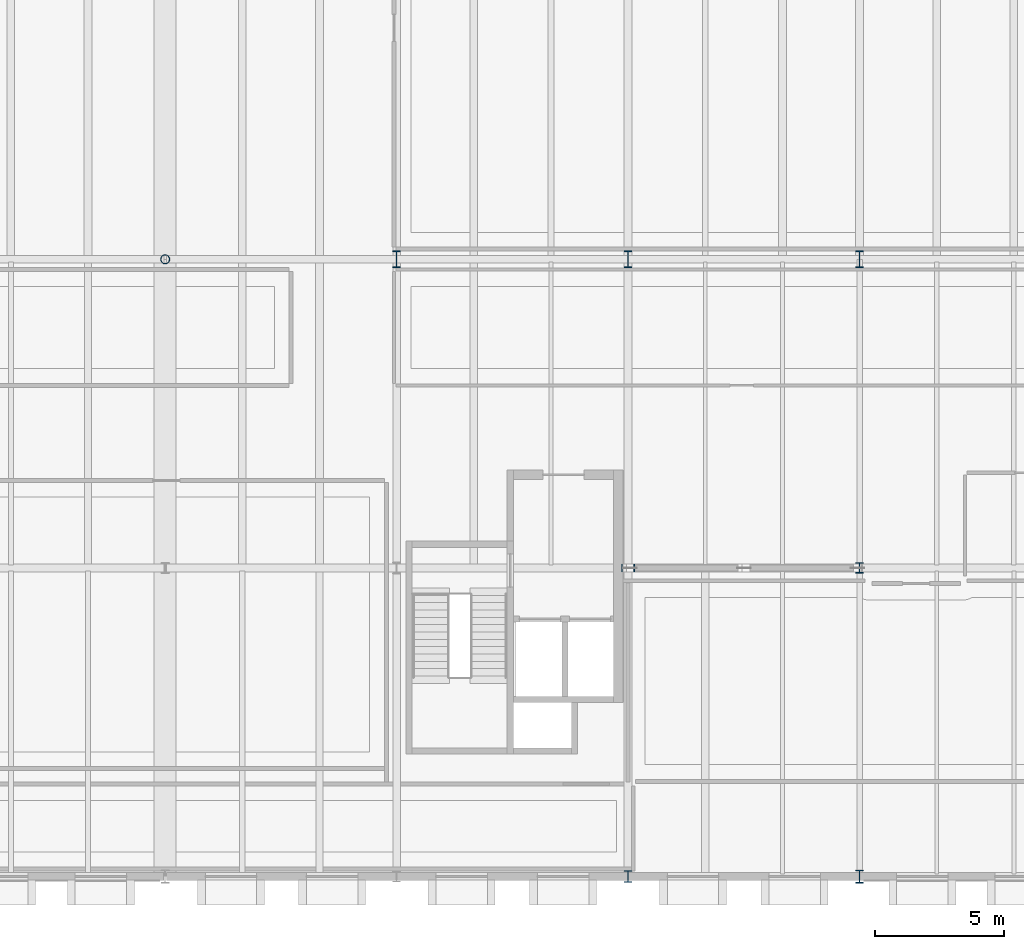
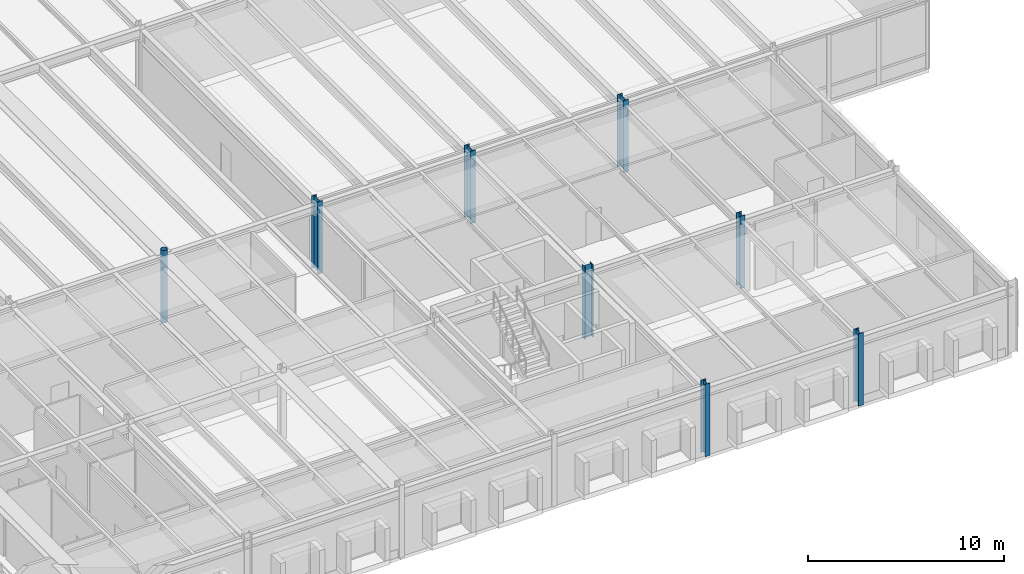
# One storey, part 5 of 127: 8 columns.
"""IFC4 building model written with IfcOpenShell, lengths in metres."""

import ifcopenshell
import ifcopenshell.guid

model = None  # the IFC model being written
_history = None  # IfcOwnerHistory: only IFC2X3 demands one
_inside = {}  # id of a spatial element -> (the spatial element, [elements in it])
_under = {}  # id of a project, library or spatial element -> (it, [spatial elements below it])
_declared = {}  # id of a project -> (the project, [libraries it declares])
_typed = {}  # id of a type object -> (the type object, [elements of that type])
_made_of = {}  # id of a material, layer set ... -> (it, [elements and type objects made of it])


def new_model(schema):
    """Start an empty IFC model of exactly this schema.

    Asked for "IFC4X3", IfcOpenShell would pick the latest addendum, in which some entities
    have other attributes; the version numbers below select the first issue.
    IFC2X3 requires an IfcOwnerHistory on every rooted entity: one is made here for all.
    """
    global model, _history
    if schema == "IFC4X3":
        model = ifcopenshell.file(schema_version=(4, 3, 0, 0))
    else:
        model = ifcopenshell.file(schema=schema)
    _inside.clear()
    _under.clear()
    _declared.clear()
    _typed.clear()
    _made_of.clear()
    _history = None
    if model.schema == "IFC2X3":
        org = make("IfcOrganization", Name="unknown")
        user = make(
            "IfcPersonAndOrganization",
            ThePerson=make("IfcPerson", FamilyName="unknown"),
            TheOrganization=org,
        )
        app = make(
            "IfcApplication",
            ApplicationDeveloper=org,
            Version="unknown",
            ApplicationFullName="unknown",
            ApplicationIdentifier="unknown",
        )
        _history = make(
            "IfcOwnerHistory",
            OwningUser=user,
            OwningApplication=app,
            ChangeAction="ADDED",
            CreationDate=0,
        )
    return model


def make(cls, **values):
    """One entity of the class cls with the attributes given. An attribute that is None is left unset."""
    return model.create_entity(
        cls, **{name: value for name, value in values.items() if value is not None}
    )


def rooted(cls, **values):
    """An entity with a GlobalId (a new one), such as an element, a storey or a relation."""
    return make(cls, GlobalId=ifcopenshell.guid.new(), OwnerHistory=_history, **values)


def si_unit(unit_type, name, prefix=None):
    """IfcSIUnit, for example si_unit("LENGTHUNIT", "METRE", prefix="MILLI")."""
    return make("IfcSIUnit", UnitType=unit_type, Prefix=prefix, Name=name)


def assignment(units):
    """IfcUnitAssignment: the units of a project."""
    return None if units is None else make("IfcUnitAssignment", Units=units)


def point(xyz):
    """IfcCartesianPoint."""
    return None if xyz is None else make("IfcCartesianPoint", Coordinates=xyz)


def direction(xyz):
    """IfcDirection."""
    return None if xyz is None else make("IfcDirection", DirectionRatios=xyz)


def frame(location, z_axis=None, x_axis=None):
    """IfcAxis2Placement3D, a coordinate frame: its origin and axes. An axis left out is left unset."""
    return make(
        "IfcAxis2Placement3D",
        Location=point(location),
        Axis=direction(z_axis),
        RefDirection=direction(x_axis),
    )


def frame_2d(location, x_axis=None):
    """IfcAxis2Placement2D, a coordinate frame in the plane: its origin and x axis."""
    return make(
        "IfcAxis2Placement2D", Location=point(location), RefDirection=direction(x_axis)
    )


def origin():
    """The frame at (0, 0, 0) with its axes left unset."""
    return frame((0.0, 0.0, 0.0))


def origin_2d():
    """The frame at (0, 0) in the plane with its x axis left unset."""
    return frame_2d((0.0, 0.0))


def place(relative_to, where):
    """IfcLocalPlacement: puts the frame where relative to a parent placement (None: the world)."""
    return make(
        "IfcLocalPlacement", PlacementRelTo=relative_to, RelativePlacement=where
    )


def context(
    kind, dimensions, precision=None, world=None, true_north=None, identifier=None
):
    """IfcGeometricRepresentationContext, for example the 3D "Model" context."""
    return make(
        "IfcGeometricRepresentationContext",
        ContextIdentifier=identifier,
        ContextType=kind,
        CoordinateSpaceDimension=dimensions,
        Precision=precision,
        WorldCoordinateSystem=world,
        TrueNorth=true_north,
    )


def subcontext(parent, identifier, kind, view, scale=None):
    """IfcGeometricRepresentationSubContext, for example "Body" below "Model"."""
    return make(
        "IfcGeometricRepresentationSubContext",
        ContextIdentifier=identifier,
        ContextType=kind,
        ParentContext=parent,
        TargetScale=scale,
        TargetView=view,
    )


def project(units=None, contexts=None):
    """IfcProject with its units and contexts."""
    return rooted(
        "IfcProject",
        Name="project",
        RepresentationContexts=contexts,
        UnitsInContext=assignment(units),
    )


def spatial(cls, under=None, at=None, **own):
    """A site, building, storey or space (cls), placed at a placement, below another one or the project."""
    s = rooted(cls, ObjectPlacement=at, **own)
    if under is not None:
        _under.setdefault(under.id(), (under, []))[1].append(s)
    return s


def profile(cls, at=None, kind="AREA", **sizes):
    """A parametric profile (cls). Its sizes go by their IFC names, for example OverallWidth=200.0."""
    return make(cls, ProfileType=kind, Position=at, **sizes)


def hollow_circle(**sizes):
    """IfcCircleHollowProfileDef."""
    return profile("IfcCircleHollowProfileDef", **sizes)


def i_section(**sizes):
    """IfcIShapeProfileDef."""
    return profile("IfcIShapeProfileDef", **sizes)


def extrude(swept, where, along, depth):
    """IfcExtrudedAreaSolid: the profile swept, set in the frame where, extruded along a direction by depth."""
    return make(
        "IfcExtrudedAreaSolid",
        SweptArea=swept,
        Position=where,
        ExtrudedDirection=direction(along),
        Depth=depth,
    )


def shape(context_of_items, identifier, shape_type, items):
    """IfcShapeRepresentation: the items that make up one representation, for example the "Body"."""
    return make(
        "IfcShapeRepresentation",
        ContextOfItems=context_of_items,
        RepresentationIdentifier=identifier,
        RepresentationType=shape_type,
        Items=items,
    )


def material(Name=None, Category=None):
    """IfcMaterial."""
    return make("IfcMaterial", Name=Name, Category=Category)


def material_profile(
    of_material, cross_section, Name=None, Category=None, Priority=None
):
    """IfcMaterialProfile: a cross section and its material."""
    return make(
        "IfcMaterialProfile",
        Name=Name,
        Material=of_material,
        Profile=cross_section,
        Priority=Priority,
        Category=Category,
    )


def profile_set(profiles, Name=None, composite=None):
    """IfcMaterialProfileSet."""
    return make(
        "IfcMaterialProfileSet",
        Name=Name,
        MaterialProfiles=profiles,
        CompositeProfile=composite,
    )


def made_of(thing, what):
    """Note that an element or type object is made of a material, layer set ...; save() writes the relation."""
    if what is not None:
        _made_of.setdefault(what.id(), (what, []))[1].append(thing)
    return thing


def type_object(cls, material=None, **own):
    """A type object (cls), such as IfcWallType, which elements share."""
    return made_of(rooted(cls, **own), material)


def element(
    cls,
    number,
    at=None,
    inside=None,
    cuts=None,
    type_object=None,
    material=None,
    context=None,
    identifier="Body",
    shape_type=None,
    held_by="IfcProductDefinitionShape",
    body=None,
    shapes=None,
    **own,
):
    """One element of the class cls, such as IfcWall. Its Tag is "e" and its number.

    at: its placement. inside: the storey or other place that contains it. cuts: it is an
    opening in that element (IfcRelVoidsElement). A single representation is given by context,
    identifier, shape_type and body (its items); several are given by shapes. held_by: the class
    of the entity that holds the representations. save() writes the other relations.
    """
    e = rooted(cls, Tag="e%d" % number, ObjectPlacement=at, **own)
    if body is not None:
        shapes = [shape(context, identifier, shape_type, body)]
    if shapes is not None:
        e.Representation = make(held_by, Representations=shapes)
    if inside is not None:
        _inside.setdefault(inside.id(), (inside, []))[1].append(e)
    if cuts is not None:
        rooted(
            "IfcRelVoidsElement", RelatingBuildingElement=cuts, RelatedOpeningElement=e
        )
    if type_object is not None:
        _typed.setdefault(type_object.id(), (type_object, []))[1].append(e)
    return made_of(e, material)


def aggregate(whole, parts):
    """IfcRelAggregates: a whole, such as a stair, and the parts it consists of."""
    return rooted("IfcRelAggregates", RelatingObject=whole, RelatedObjects=parts)


def save(model, path):
    """Write the relations noted so far, then the file.

    IfcRelAggregates (storeys below a building ...), IfcRelContainedInSpatialStructure (elements
    in a storey), IfcRelDefinesByType, IfcRelAssociatesMaterial and IfcRelDeclares: one each for
    every whole, place, type object, material and project.
    """
    for whole, parts in _under.values():
        aggregate(whole, parts)
    for where, things in _inside.values():
        rooted(
            "IfcRelContainedInSpatialStructure",
            RelatedElements=things,
            RelatingStructure=where,
        )
    for kind, things in _typed.values():
        rooted("IfcRelDefinesByType", RelatedObjects=things, RelatingType=kind)
    for what, things in _made_of.values():
        rooted("IfcRelAssociatesMaterial", RelatedObjects=things, RelatingMaterial=what)
    for by, libraries in _declared.values():
        rooted("IfcRelDeclares", RelatingContext=by, RelatedDefinitions=libraries)
    model.write(path)


model = new_model("IFC4")

# Units and contexts
model_context = context("Model", 3, precision=1e-05, world=origin(), true_north=direction((0.0, 1.0)))
body_context = subcontext(model_context, "Body", "Model", "MODEL_VIEW")
ifc_project = project(units=[si_unit("LENGTHUNIT", "METRE"), si_unit("AREAUNIT", "SQUARE_METRE"), si_unit("VOLUMEUNIT", "CUBIC_METRE"), si_unit("PLANEANGLEUNIT", "RADIAN"), si_unit("MASSUNIT", "GRAM", prefix="KILO")], contexts=[model_context])

# Site, building, storey
site_placement = place(None, origin())
site = spatial("IfcSite", under=ifc_project, at=site_placement, CompositionType="ELEMENT")
building_placement = place(site_placement, origin())
building = spatial("IfcBuilding", under=site, at=building_placement, Name="Montelvaro Courts of Justice", CompositionType="ELEMENT")
storey_placement = place(building_placement, frame((0.0, 0.0, 5.39990234375)))
storey = spatial("IfcBuildingStorey", under=building, at=storey_placement, Name="L01", CompositionType="ELEMENT", Elevation=5.39990234375)

# Columns
ifc_material = material(Name="Steel S355", Category="steel")
ifc_material_profile_1 = material_profile(ifc_material, hollow_circle(Radius=0.177734375, WallThickness=0.01611328125, at=origin_2d()), Name="CHS 355.6x16")
ifc_profile_set_1 = profile_set([ifc_material_profile_1], Name="Steel S355")
column_type_1 = type_object("IfcColumnType", Name="Col_CHS356", PredefinedType="PILASTER", material=ifc_profile_set_1)
column_1_placement = place(storey_placement, frame((99.0, 24.0, 0.0), z_axis=(0.0, 0.0, 1.0), x_axis=(1.0, 0.0, 0.0)))
element("IfcColumn", 1, at=column_1_placement, inside=storey, type_object=column_type_1, Name="Column C-19 L01 12/C", PredefinedType="PILASTER", context=body_context, shape_type="SweptSolid", body=[
    extrude(hollow_circle(Radius=0.177734375, WallThickness=0.01611328125, at=origin_2d()), origin(), (0.0, 0.0, 1.0), 4.5),
])
ifc_material_profile_2 = material_profile(ifc_material, i_section(OverallWidth=0.300048828125, OverallDepth=0.39990234375, WebThickness=0.013427734375, FlangeThickness=0.02392578125, at=origin_2d()), Name="HEB 400")
ifc_profile_set_2 = profile_set([ifc_material_profile_2], Name="Steel S355")
column_type_2 = type_object("IfcColumnType", Name="Col_HEB400", PredefinedType="COLUMN", material=ifc_profile_set_2)
column_2_placement = place(storey_placement, frame((126.0, 12.0, 0.0), z_axis=(0.0, 0.0, 1.0), x_axis=(1.0, 0.0, 0.0)))
element("IfcColumn", 2, at=column_2_placement, inside=storey, type_object=column_type_2, Name="Column C-07 L01 15/B", PredefinedType="COLUMN", context=body_context, shape_type="SweptSolid", body=[
    extrude(i_section(OverallWidth=0.300048828125, OverallDepth=0.39990234375, WebThickness=0.013427734375, FlangeThickness=0.02392578125, at=origin_2d()), origin(), (0.0, 0.0, 1.0), 4.5),
])
ifc_material_profile_3 = material_profile(ifc_material, i_section(OverallWidth=0.300048828125, OverallDepth=0.449951171875, WebThickness=0.013916015625, FlangeThickness=0.02587890625, at=origin_2d()), Name="HEB 450")
ifc_profile_set_3 = profile_set([ifc_material_profile_3], Name="Steel S355")
column_type_3 = type_object("IfcColumnType", Name="Col_HEB450", PredefinedType="COLUMN", material=ifc_profile_set_3)
column_3_placement = place(storey_placement, frame((117.0, 0.0, 0.0), z_axis=(0.0, 0.0, 1.0), x_axis=(1.0, 0.0, 0.0)))
element("IfcColumn", 3, at=column_3_placement, inside=storey, type_object=column_type_3, Name="Column C-08 L01 14/A", PredefinedType="COLUMN", context=body_context, shape_type="SweptSolid", body=[
    extrude(i_section(OverallWidth=0.300048828125, OverallDepth=0.449951171875, WebThickness=0.013916015625, FlangeThickness=0.02587890625, at=origin_2d()), origin(), (0.0, 0.0, 1.0), 4.5),
])
ifc_material_profile_4 = material_profile(ifc_material, i_section(OverallWidth=0.300048828125, OverallDepth=0.5, WebThickness=0.014404296875, FlangeThickness=0.028076171875, at=origin_2d()), Name="HEB 500")
ifc_profile_set_4 = profile_set([ifc_material_profile_4], Name="Steel S355")
column_type_4 = type_object("IfcColumnType", Name="Col_HEB500", PredefinedType="COLUMN", material=ifc_profile_set_4)
for number, where, z_axis, x_axis, name in (
    (4, (117.0, 12.0, 0.0), (0.0, 0.0, 1.0), (0.0, 1.0, 0.0), "Column C-09 L01 14/B"),
    (5, (126.0, 0.0, 0.0), (0.0, 0.0, 1.0), (1.0, 0.0, 0.0), "Column C-09 L01 15/A"),
):
    element("IfcColumn", number, at=place(storey_placement, frame(where, z_axis=z_axis, x_axis=x_axis)), inside=storey, type_object=column_type_4, Name=name, PredefinedType="COLUMN", context=body_context, shape_type="SweptSolid", body=[
        extrude(i_section(OverallWidth=0.300048828125, OverallDepth=0.5, WebThickness=0.014404296875, FlangeThickness=0.028076171875, at=origin_2d()), origin(), (0.0, 0.0, 1.0), 4.5),
    ])
ifc_material_profile_5 = material_profile(ifc_material, i_section(OverallWidth=0.300048828125, OverallDepth=0.64990234375, WebThickness=0.01611328125, FlangeThickness=0.031005859375, at=origin_2d()), Name="HEB 650")
ifc_profile_set_5 = profile_set([ifc_material_profile_5], Name="Steel S355")
column_type_5 = type_object("IfcColumnType", Name="Col_HEB650", PredefinedType="COLUMN", material=ifc_profile_set_5)
for number, where, z_axis, x_axis, name in (
    (6, (108.0, 24.0, 0.0), (0.0, 0.0, 1.0), (1.0, 0.0, 0.0), "Column C-12 L01 13/C"),
    (7, (117.0, 24.0, 0.0), (0.0, 0.0, 1.0), (1.0, 0.0, 0.0), "Column C-12 L01 14/C"),
    (8, (126.0, 24.0, 0.0), (0.0, 0.0, 1.0), (1.0, 0.0, 0.0), "Column C-12 L01 15/C"),
):
    element("IfcColumn", number, at=place(storey_placement, frame(where, z_axis=z_axis, x_axis=x_axis)), inside=storey, type_object=column_type_5, Name=name, PredefinedType="COLUMN", context=body_context, shape_type="SweptSolid", body=[
        extrude(i_section(OverallWidth=0.300048828125, OverallDepth=0.64990234375, WebThickness=0.01611328125, FlangeThickness=0.031005859375, at=origin_2d()), origin(), (0.0, 0.0, 1.0), 4.5),
    ])

save(model, "model.ifc")
